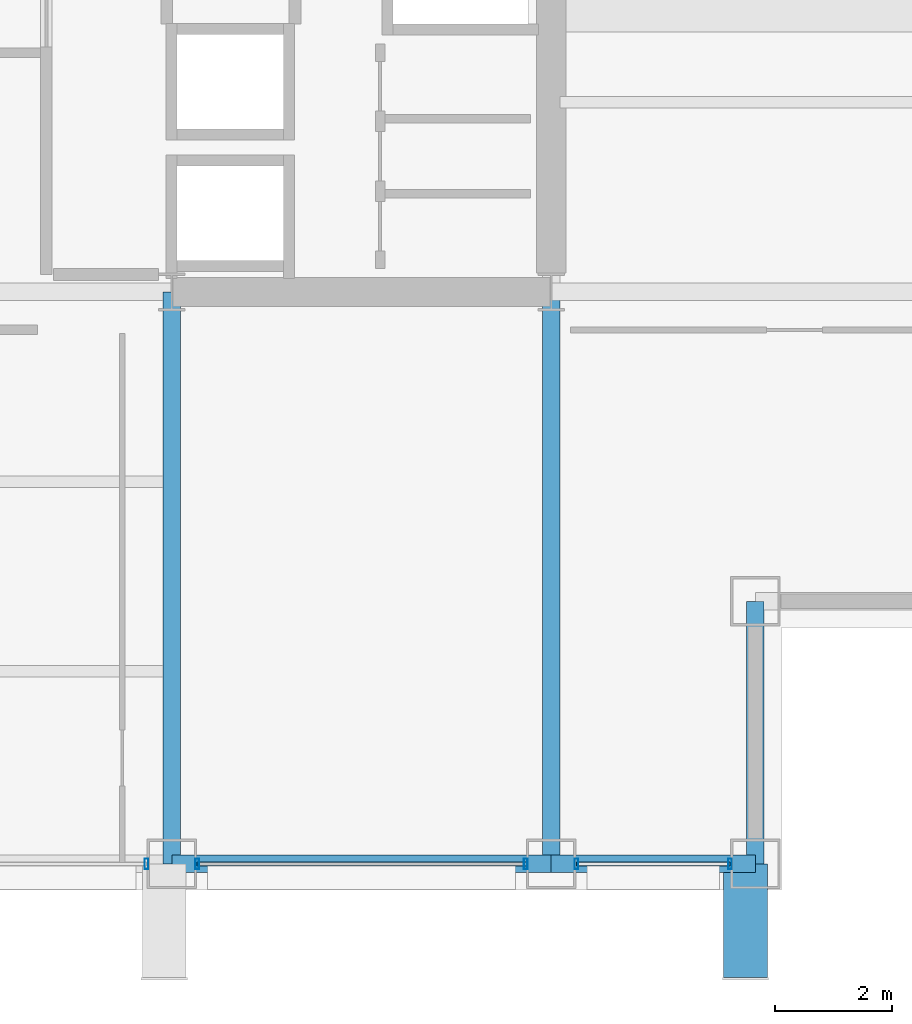
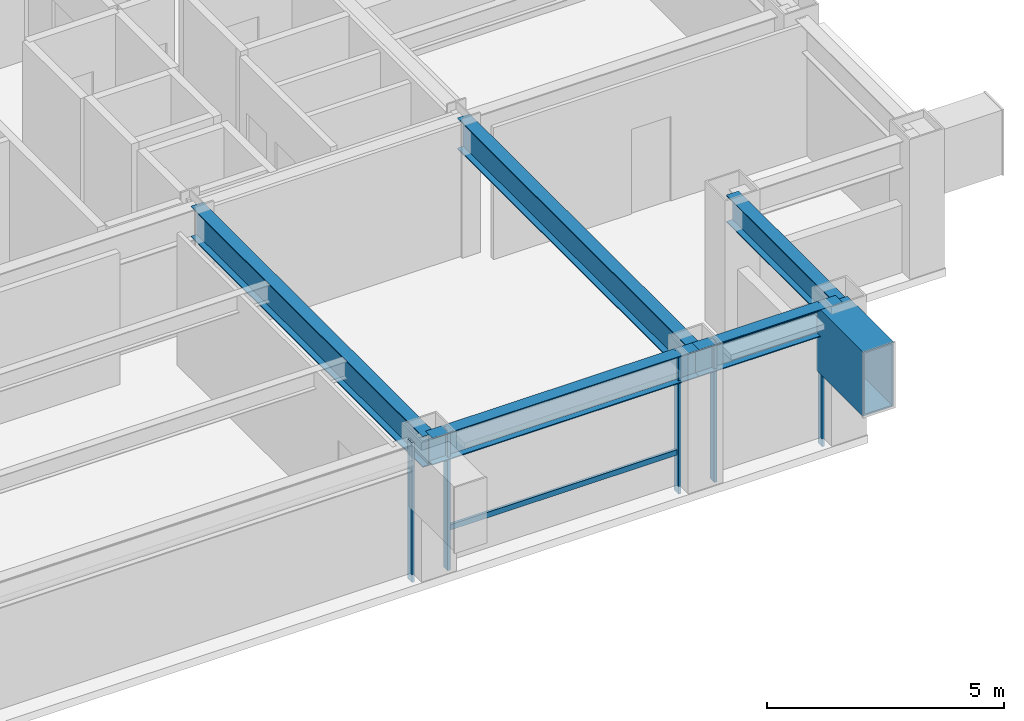
# One storey, part 10 of 28: 7 members, 6 beams, 3 elements without a shape of their own.
"""IFC4 building model written with IfcOpenShell, lengths in metres."""

from ifc_helpers import new_model, si_unit, direction, frame, origin, origin_2d, place, context, subcontext, project, spatial, hollow_rectangle, i_section, extrude, material, layer, layer_set, material_profile, profile_set, type_object, element, aggregate, save


model = new_model("IFC4")

# Units and contexts
model_context = context("Model", 3, precision=1e-05, world=origin(), true_north=direction((0.0, 1.0)))
body_context = subcontext(model_context, "Body", "Model", "MODEL_VIEW")
ifc_project = project(units=[si_unit("LENGTHUNIT", "METRE"), si_unit("AREAUNIT", "SQUARE_METRE"), si_unit("VOLUMEUNIT", "CUBIC_METRE"), si_unit("PLANEANGLEUNIT", "RADIAN"), si_unit("MASSUNIT", "GRAM", prefix="KILO")], contexts=[model_context])

# Site, building, storey
site_placement = place(None, origin())
site = spatial("IfcSite", under=ifc_project, at=site_placement, CompositionType="ELEMENT")
building_placement = place(site_placement, origin())
building = spatial("IfcBuilding", under=site, at=building_placement, Name="Brelmoor Portico Tower", CompositionType="ELEMENT")
storey_placement = place(building_placement, frame((0.0, 0.0, 91.800048828125)))
storey = spatial("IfcBuildingStorey", under=building, at=storey_placement, Name="L23", CompositionType="ELEMENT", Elevation=91.800048828125)

# Beams
ifc_material_1 = material(Name="Steel Q355B", Category="steel")
ifc_material_profile_1 = material_profile(ifc_material_1, hollow_rectangle(XDim=0.75, YDim=1.659912109375, WallThickness=0.0419921875, at=origin_2d()), Name="BOX 750x1660x42")
ifc_profile_set_1 = profile_set([ifc_material_profile_1], Name="Steel Q355B")
beam_type_1 = type_object("IfcBeamType", Name="BM-PF-CANT", PredefinedType="BEAM", material=ifc_profile_set_1)
beam_1_placement = place(storey_placement, frame((17.8798828125, -21.5, 2.570068359375), z_axis=(0.0, 1.0, 0.0), x_axis=(-1.0, 0.0, 0.0)))
element("IfcBeam", 1, at=beam_1_placement, inside=storey, type_object=beam_type_1, Name="L23 Picture-Frame Outrigger Transfer Cantilever PFB-02", PredefinedType="BEAM", context=body_context, shape_type="SweptSolid", body=[
    extrude(hollow_rectangle(XDim=0.75, YDim=1.659912109375, WallThickness=0.0419921875, at=origin_2d()), origin(), (0.0, 0.0, 1.0), 1.949951171875),
])
ifc_material_profile_2 = material_profile(ifc_material_1, i_section(OverallWidth=0.300048828125, OverallDepth=0.800048828125, WebThickness=0.013916015625, FlangeThickness=0.02587890625, at=origin_2d()), Name="HN 800x300x14x26")
ifc_profile_set_2 = profile_set([ifc_material_profile_2], Name="Steel Q355B")
beam_type_2 = type_object("IfcBeamType", Name="BM-PG-800", PredefinedType="BEAM", material=ifc_profile_set_2)
for number, where, z_axis, x_axis, name in (
    (2, (8.050048828125, -19.550048828125, 3.0), (0.0, 1.0, 0.0), (-1.0, 0.0, 0.0), "L23 Primary Floor Girder PG-07"),
    (3, (14.550048828125, -19.550048828125, 3.0), (0.0, 1.0, 0.0), (-1.0, 0.0, 0.0), "L23 Primary Floor Girder PG-09"),
):
    element("IfcBeam", number, at=place(storey_placement, frame(where, z_axis=z_axis, x_axis=x_axis)), inside=storey, type_object=beam_type_2, Name=name, PredefinedType="BEAM", context=body_context, shape_type="SweptSolid", body=[
        extrude(i_section(OverallWidth=0.300048828125, OverallDepth=0.800048828125, WebThickness=0.013916015625, FlangeThickness=0.02587890625, at=origin_2d()), origin(), (0.0, 0.0, 1.0), 9.800048828125),
    ])
ifc_material_profile_3 = material_profile(ifc_material_1, i_section(OverallWidth=0.300048828125, OverallDepth=0.699951171875, WebThickness=0.012939453125, FlangeThickness=0.02392578125, at=origin_2d()), Name="HN 700x300x13x24")
ifc_profile_set_3 = profile_set([ifc_material_profile_3], Name="Steel Q355B")
beam_type_3 = type_object("IfcBeamType", Name="BM-SP-700", PredefinedType="SPANDREL", material=ifc_profile_set_3)
beam_2_placement = place(storey_placement, frame((8.050048828125, -19.550048828125, 3.050048828125), z_axis=(1.0, 0.0, 0.0), x_axis=(0.0, 1.0, 0.0)))
element("IfcBeam", 4, at=beam_2_placement, inside=storey, type_object=beam_type_3, Name="L23 Perimeter Spandrel Beam SP-04", PredefinedType="SPANDREL", context=body_context, shape_type="SweptSolid", body=[
    extrude(i_section(OverallWidth=0.300048828125, OverallDepth=0.699951171875, WebThickness=0.012939453125, FlangeThickness=0.02392578125, at=origin_2d()), origin(), (0.0, 0.0, 1.0), 6.5),
])
beam_3_placement = place(storey_placement, frame((14.550048828125, -19.550048828125, 3.050048828125), z_axis=(1.0, 0.0, 0.0), x_axis=(0.0, 1.0, 0.0)))
element("IfcBeam", 5, at=beam_3_placement, inside=storey, type_object=beam_type_3, Name="L23 Perimeter Spandrel Beam SP-05", PredefinedType="SPANDREL", context=body_context, shape_type="SweptSolid", body=[
    extrude(i_section(OverallWidth=0.300048828125, OverallDepth=0.699951171875, WebThickness=0.012939453125, FlangeThickness=0.02392578125, at=origin_2d()), origin(), (0.0, 0.0, 1.0), 3.5),
])
beam_4_placement = place(storey_placement, frame((18.050048828125, -19.550048828125, 3.050048828125), z_axis=(0.0, 1.0, 0.0), x_axis=(-1.0, 0.0, 0.0)))
element("IfcBeam", 6, at=beam_4_placement, inside=storey, type_object=beam_type_3, Name="L23 Perimeter Spandrel Beam SP-20", PredefinedType="SPANDREL", context=body_context, shape_type="SweptSolid", body=[
    extrude(i_section(OverallWidth=0.300048828125, OverallDepth=0.699951171875, WebThickness=0.012939453125, FlangeThickness=0.02392578125, at=origin_2d()), origin(), (0.0, 0.0, 1.0), 4.5),
])

# Curtain wall, member
ifc_material_2 = material(Name="Anodised Aluminium Alloy 6063-T6", Category="aluminium")
ifc_layer_1 = layer(ifc_material_2, 0.179931640625)
ifc_layer_set_1 = layer_set([ifc_layer_1], Name="Anodised Aluminium Alloy 6063-T6")
curtain_wall_type_1 = type_object("IfcCurtainWallType", Name="CW-TOWER-Z2-XB", PredefinedType="NOTDEFINED", material=ifc_layer_set_1)
curtain_wall_1_placement = place(storey_placement, origin())
curtain_wall_1 = element("IfcCurtainWall", 7, at=curtain_wall_1_placement, inside=storey, type_object=curtain_wall_type_1, Name="L23 Curtain Wall CW-L23-01-3", PredefinedType="NOTDEFINED")
ifc_material_profile_4 = material_profile(ifc_material_2, hollow_rectangle(XDim=0.06494140625, YDim=0.179931640625, WallThickness=0.00390625, at=origin_2d()), Name="ALU MULLION 65x180")
ifc_profile_set_4 = profile_set([ifc_material_profile_4], Name="Anodised Aluminium Alloy 6063-T6")
member_type_1 = type_object("IfcMemberType", Name="MB-CW-MULL-180", PredefinedType="MULLION", material=ifc_profile_set_4)
member_1_placement = place(storey_placement, frame((7.614990234375, -19.550048828125, -0.199951171875), z_axis=(0.0, 0.0, 1.0), x_axis=(1.0, 0.0, 0.0)))
member_1 = element("IfcMember", 8, at=member_1_placement, type_object=member_type_1, Name="CW-L23-01-3 Mullion 01", PredefinedType="MULLION", context=body_context, shape_type="SweptSolid", body=[
    extrude(hollow_rectangle(XDim=0.06494140625, YDim=0.179931640625, WallThickness=0.00390625, at=origin_2d()), origin(), (0.0, 0.0, 1.0), 3.599853515625),
])
aggregate(curtain_wall_1, [member_1])

# Curtain wall, members
ifc_layer_2 = layer(ifc_material_2, 0.179931640625)
ifc_layer_set_2 = layer_set([ifc_layer_2], Name="Anodised Aluminium Alloy 6063-T6")
curtain_wall_type_2 = type_object("IfcCurtainWallType", Name="CW-TOWER-Z2", PredefinedType="NOTDEFINED", material=ifc_layer_set_2)
curtain_wall_2_placement = place(storey_placement, origin())
curtain_wall_2 = element("IfcCurtainWall", 9, at=curtain_wall_2_placement, inside=storey, type_object=curtain_wall_type_2, Name="L23 Curtain Wall CW-L23-01-4", PredefinedType="NOTDEFINED")
member_2_placement = place(storey_placement, frame((8.485107421875, -19.550048828125, -0.199951171875), z_axis=(0.0, 0.0, 1.0), x_axis=(1.0, 0.0, 0.0)))
member_2 = element("IfcMember", 10, at=member_2_placement, type_object=member_type_1, Name="CW-L23-01-4 Mullion 00", PredefinedType="MULLION", context=body_context, shape_type="SweptSolid", body=[
    extrude(hollow_rectangle(XDim=0.06494140625, YDim=0.179931640625, WallThickness=0.00390625, at=origin_2d()), origin(), (0.0, 0.0, 1.0), 3.599853515625),
])
member_3_placement = place(storey_placement, frame((14.114990234375, -19.550048828125, -0.199951171875), z_axis=(0.0, 0.0, 1.0), x_axis=(1.0, 0.0, 0.0)))
member_3 = element("IfcMember", 11, at=member_3_placement, type_object=member_type_1, Name="CW-L23-01-4 Mullion 01", PredefinedType="MULLION", context=body_context, shape_type="SweptSolid", body=[
    extrude(hollow_rectangle(XDim=0.06494140625, YDim=0.179931640625, WallThickness=0.00390625, at=origin_2d()), origin(), (0.0, 0.0, 1.0), 3.599853515625),
])

curtain_wall_3_placement = place(storey_placement, origin())
curtain_wall_3 = element("IfcCurtainWall", 12, at=curtain_wall_3_placement, inside=storey, type_object=curtain_wall_type_1, Name="L23 Curtain Wall CW-L23-01-5", PredefinedType="NOTDEFINED")
member_4_placement = place(storey_placement, frame((14.985107421875, -19.550048828125, -0.199951171875), z_axis=(0.0, 0.0, 1.0), x_axis=(1.0, 0.0, 0.0)))
member_4 = element("IfcMember", 13, at=member_4_placement, type_object=member_type_1, Name="CW-L23-01-5 Mullion 00", PredefinedType="MULLION", context=body_context, shape_type="SweptSolid", body=[
    extrude(hollow_rectangle(XDim=0.06494140625, YDim=0.179931640625, WallThickness=0.00390625, at=origin_2d()), origin(), (0.0, 0.0, 1.0), 3.599853515625),
])
member_5_placement = place(storey_placement, frame((17.614990234375, -19.550048828125, -0.199951171875), z_axis=(0.0, 0.0, 1.0), x_axis=(1.0, 0.0, 0.0)))
member_5 = element("IfcMember", 14, at=member_5_placement, type_object=member_type_1, Name="CW-L23-01-5 Mullion 01", PredefinedType="MULLION", context=body_context, shape_type="SweptSolid", body=[
    extrude(hollow_rectangle(XDim=0.06494140625, YDim=0.179931640625, WallThickness=0.00390625, at=origin_2d()), origin(), (0.0, 0.0, 1.0), 3.599853515625),
])

# Member
ifc_material_profile_5 = material_profile(ifc_material_2, hollow_rectangle(XDim=0.06494140625, YDim=0.139892578125, WallThickness=0.00390625, at=origin_2d()), Name="ALU TRANSOM 65x140")
ifc_profile_set_5 = profile_set([ifc_material_profile_5], Name="Anodised Aluminium Alloy 6063-T6")
member_type_2 = type_object("IfcMemberType", Name="MB-CW-TRAN-140", PredefinedType="USERDEFINED", material=ifc_profile_set_5)
member_6_placement = place(storey_placement, frame((8.485107421875, -19.550048828125, 0.849853515625), z_axis=(1.0, 0.0, 0.0), x_axis=(0.0, 1.0, 0.0)))
member_6 = element("IfcMember", 15, at=member_6_placement, type_object=member_type_2, Name="CW-L23-01-4 Transom 1-00", ObjectType="TRANSOM", PredefinedType="USERDEFINED", context=body_context, shape_type="SweptSolid", body=[
    extrude(hollow_rectangle(XDim=0.06494140625, YDim=0.139892578125, WallThickness=0.00390625, at=origin_2d()), origin(), (0.0, 0.0, 1.0), 5.6298828125),
])

aggregate(curtain_wall_2, [member_2, member_3, member_6])

member_7_placement = place(storey_placement, frame((14.985107421875, -19.550048828125, 3.329833984375), z_axis=(1.0, 0.0, 0.0), x_axis=(0.0, 1.0, 0.0)))
member_7 = element("IfcMember", 16, at=member_7_placement, type_object=member_type_2, Name="CW-L23-01-5 Transom 1-00", ObjectType="TRANSOM", PredefinedType="USERDEFINED", context=body_context, shape_type="SweptSolid", body=[
    extrude(hollow_rectangle(XDim=0.06494140625, YDim=0.139892578125, WallThickness=0.00390625, at=origin_2d()), origin(), (0.0, 0.0, 1.0), 2.6298828125),
])

aggregate(curtain_wall_3, [member_4, member_5, member_7])

save(model, "model.ifc")
